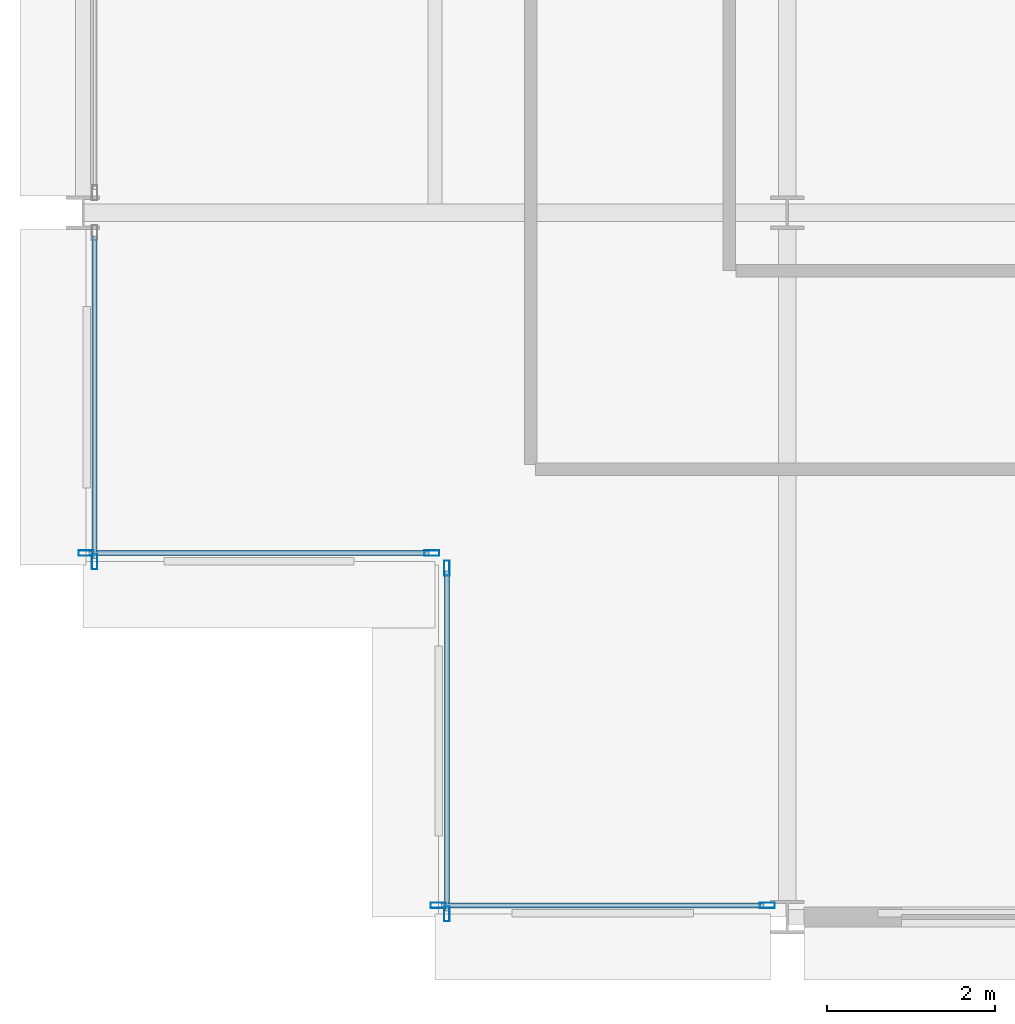
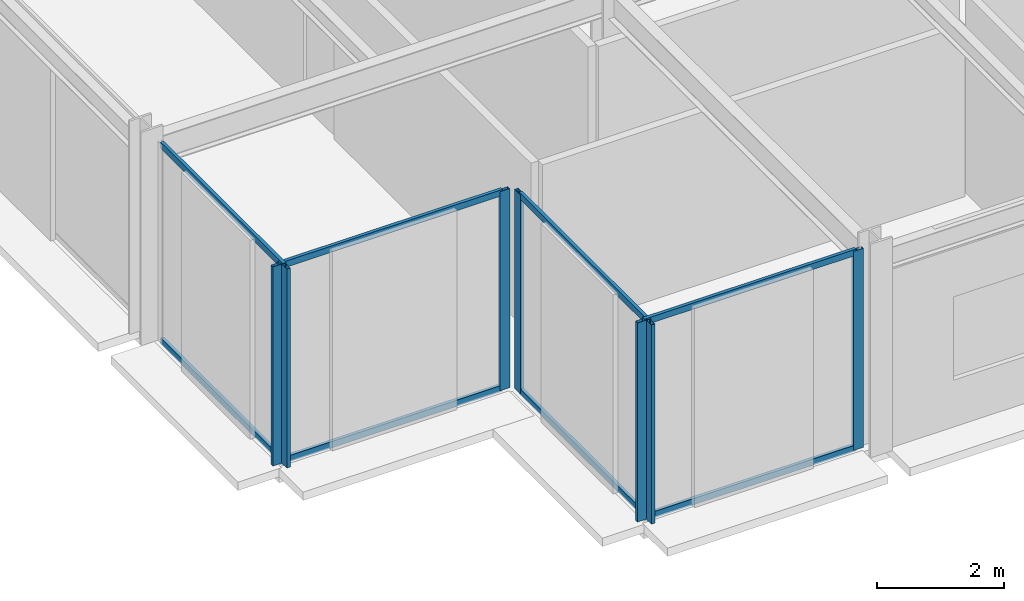
# One storey, part 2 of 30: 15 members, 4 elements without a shape of their own.
"""IFC4 building model written with IfcOpenShell, lengths in metres."""

import ifcopenshell
import ifcopenshell.guid

model = None  # the IFC model being written
_history = None  # IfcOwnerHistory: only IFC2X3 demands one
_inside = {}  # id of a spatial element -> (the spatial element, [elements in it])
_under = {}  # id of a project, library or spatial element -> (it, [spatial elements below it])
_declared = {}  # id of a project -> (the project, [libraries it declares])
_typed = {}  # id of a type object -> (the type object, [elements of that type])
_made_of = {}  # id of a material, layer set ... -> (it, [elements and type objects made of it])


def new_model(schema):
    """Start an empty IFC model of exactly this schema.

    Asked for "IFC4X3", IfcOpenShell would pick the latest addendum, in which some entities
    have other attributes; the version numbers below select the first issue.
    IFC2X3 requires an IfcOwnerHistory on every rooted entity: one is made here for all.
    """
    global model, _history
    if schema == "IFC4X3":
        model = ifcopenshell.file(schema_version=(4, 3, 0, 0))
    else:
        model = ifcopenshell.file(schema=schema)
    _inside.clear()
    _under.clear()
    _declared.clear()
    _typed.clear()
    _made_of.clear()
    _history = None
    if model.schema == "IFC2X3":
        org = make("IfcOrganization", Name="unknown")
        user = make(
            "IfcPersonAndOrganization",
            ThePerson=make("IfcPerson", FamilyName="unknown"),
            TheOrganization=org,
        )
        app = make(
            "IfcApplication",
            ApplicationDeveloper=org,
            Version="unknown",
            ApplicationFullName="unknown",
            ApplicationIdentifier="unknown",
        )
        _history = make(
            "IfcOwnerHistory",
            OwningUser=user,
            OwningApplication=app,
            ChangeAction="ADDED",
            CreationDate=0,
        )
    return model


def make(cls, **values):
    """One entity of the class cls with the attributes given. An attribute that is None is left unset."""
    return model.create_entity(
        cls, **{name: value for name, value in values.items() if value is not None}
    )


def rooted(cls, **values):
    """An entity with a GlobalId (a new one), such as an element, a storey or a relation."""
    return make(cls, GlobalId=ifcopenshell.guid.new(), OwnerHistory=_history, **values)


def si_unit(unit_type, name, prefix=None):
    """IfcSIUnit, for example si_unit("LENGTHUNIT", "METRE", prefix="MILLI")."""
    return make("IfcSIUnit", UnitType=unit_type, Prefix=prefix, Name=name)


def assignment(units):
    """IfcUnitAssignment: the units of a project."""
    return None if units is None else make("IfcUnitAssignment", Units=units)


def point(xyz):
    """IfcCartesianPoint."""
    return None if xyz is None else make("IfcCartesianPoint", Coordinates=xyz)


def direction(xyz):
    """IfcDirection."""
    return None if xyz is None else make("IfcDirection", DirectionRatios=xyz)


def frame(location, z_axis=None, x_axis=None):
    """IfcAxis2Placement3D, a coordinate frame: its origin and axes. An axis left out is left unset."""
    return make(
        "IfcAxis2Placement3D",
        Location=point(location),
        Axis=direction(z_axis),
        RefDirection=direction(x_axis),
    )


def frame_2d(location, x_axis=None):
    """IfcAxis2Placement2D, a coordinate frame in the plane: its origin and x axis."""
    return make(
        "IfcAxis2Placement2D", Location=point(location), RefDirection=direction(x_axis)
    )


def origin():
    """The frame at (0, 0, 0) with its axes left unset."""
    return frame((0.0, 0.0, 0.0))


def origin_2d():
    """The frame at (0, 0) in the plane with its x axis left unset."""
    return frame_2d((0.0, 0.0))


def place(relative_to, where):
    """IfcLocalPlacement: puts the frame where relative to a parent placement (None: the world)."""
    return make(
        "IfcLocalPlacement", PlacementRelTo=relative_to, RelativePlacement=where
    )


def context(
    kind, dimensions, precision=None, world=None, true_north=None, identifier=None
):
    """IfcGeometricRepresentationContext, for example the 3D "Model" context."""
    return make(
        "IfcGeometricRepresentationContext",
        ContextIdentifier=identifier,
        ContextType=kind,
        CoordinateSpaceDimension=dimensions,
        Precision=precision,
        WorldCoordinateSystem=world,
        TrueNorth=true_north,
    )


def subcontext(parent, identifier, kind, view, scale=None):
    """IfcGeometricRepresentationSubContext, for example "Body" below "Model"."""
    return make(
        "IfcGeometricRepresentationSubContext",
        ContextIdentifier=identifier,
        ContextType=kind,
        ParentContext=parent,
        TargetScale=scale,
        TargetView=view,
    )


def project(units=None, contexts=None):
    """IfcProject with its units and contexts."""
    return rooted(
        "IfcProject",
        Name="project",
        RepresentationContexts=contexts,
        UnitsInContext=assignment(units),
    )


def spatial(cls, under=None, at=None, **own):
    """A site, building, storey or space (cls), placed at a placement, below another one or the project."""
    s = rooted(cls, ObjectPlacement=at, **own)
    if under is not None:
        _under.setdefault(under.id(), (under, []))[1].append(s)
    return s


def profile(cls, at=None, kind="AREA", **sizes):
    """A parametric profile (cls). Its sizes go by their IFC names, for example OverallWidth=200.0."""
    return make(cls, ProfileType=kind, Position=at, **sizes)


def hollow_rectangle(**sizes):
    """IfcRectangleHollowProfileDef."""
    return profile("IfcRectangleHollowProfileDef", **sizes)


def extrude(swept, where, along, depth):
    """IfcExtrudedAreaSolid: the profile swept, set in the frame where, extruded along a direction by depth."""
    return make(
        "IfcExtrudedAreaSolid",
        SweptArea=swept,
        Position=where,
        ExtrudedDirection=direction(along),
        Depth=depth,
    )


def shape(context_of_items, identifier, shape_type, items):
    """IfcShapeRepresentation: the items that make up one representation, for example the "Body"."""
    return make(
        "IfcShapeRepresentation",
        ContextOfItems=context_of_items,
        RepresentationIdentifier=identifier,
        RepresentationType=shape_type,
        Items=items,
    )


def material(Name=None, Category=None):
    """IfcMaterial."""
    return make("IfcMaterial", Name=Name, Category=Category)


def layer(
    of_material, thickness, ventilated=None, Name=None, Category=None, Priority=None
):
    """IfcMaterialLayer: one layer of a wall or slab, of a material (None: an air gap)."""
    return make(
        "IfcMaterialLayer",
        Material=of_material,
        LayerThickness=thickness,
        IsVentilated=ventilated,
        Name=Name,
        Category=Category,
        Priority=Priority,
    )


def layer_set(layers, Name=None):
    """IfcMaterialLayerSet."""
    return make("IfcMaterialLayerSet", MaterialLayers=layers, LayerSetName=Name)


def material_profile(
    of_material, cross_section, Name=None, Category=None, Priority=None
):
    """IfcMaterialProfile: a cross section and its material."""
    return make(
        "IfcMaterialProfile",
        Name=Name,
        Material=of_material,
        Profile=cross_section,
        Priority=Priority,
        Category=Category,
    )


def profile_set(profiles, Name=None, composite=None):
    """IfcMaterialProfileSet."""
    return make(
        "IfcMaterialProfileSet",
        Name=Name,
        MaterialProfiles=profiles,
        CompositeProfile=composite,
    )


def made_of(thing, what):
    """Note that an element or type object is made of a material, layer set ...; save() writes the relation."""
    if what is not None:
        _made_of.setdefault(what.id(), (what, []))[1].append(thing)
    return thing


def type_object(cls, material=None, **own):
    """A type object (cls), such as IfcWallType, which elements share."""
    return made_of(rooted(cls, **own), material)


def element(
    cls,
    number,
    at=None,
    inside=None,
    cuts=None,
    type_object=None,
    material=None,
    context=None,
    identifier="Body",
    shape_type=None,
    held_by="IfcProductDefinitionShape",
    body=None,
    shapes=None,
    **own,
):
    """One element of the class cls, such as IfcWall. Its Tag is "e" and its number.

    at: its placement. inside: the storey or other place that contains it. cuts: it is an
    opening in that element (IfcRelVoidsElement). A single representation is given by context,
    identifier, shape_type and body (its items); several are given by shapes. held_by: the class
    of the entity that holds the representations. save() writes the other relations.
    """
    e = rooted(cls, Tag="e%d" % number, ObjectPlacement=at, **own)
    if body is not None:
        shapes = [shape(context, identifier, shape_type, body)]
    if shapes is not None:
        e.Representation = make(held_by, Representations=shapes)
    if inside is not None:
        _inside.setdefault(inside.id(), (inside, []))[1].append(e)
    if cuts is not None:
        rooted(
            "IfcRelVoidsElement", RelatingBuildingElement=cuts, RelatedOpeningElement=e
        )
    if type_object is not None:
        _typed.setdefault(type_object.id(), (type_object, []))[1].append(e)
    return made_of(e, material)


def aggregate(whole, parts):
    """IfcRelAggregates: a whole, such as a stair, and the parts it consists of."""
    return rooted("IfcRelAggregates", RelatingObject=whole, RelatedObjects=parts)


def save(model, path):
    """Write the relations noted so far, then the file.

    IfcRelAggregates (storeys below a building ...), IfcRelContainedInSpatialStructure (elements
    in a storey), IfcRelDefinesByType, IfcRelAssociatesMaterial and IfcRelDeclares: one each for
    every whole, place, type object, material and project.
    """
    for whole, parts in _under.values():
        aggregate(whole, parts)
    for where, things in _inside.values():
        rooted(
            "IfcRelContainedInSpatialStructure",
            RelatedElements=things,
            RelatingStructure=where,
        )
    for kind, things in _typed.values():
        rooted("IfcRelDefinesByType", RelatedObjects=things, RelatingType=kind)
    for what, things in _made_of.values():
        rooted("IfcRelAssociatesMaterial", RelatedObjects=things, RelatingMaterial=what)
    for by, libraries in _declared.values():
        rooted("IfcRelDeclares", RelatingContext=by, RelatedDefinitions=libraries)
    model.write(path)


model = new_model("IFC4")

# Units and contexts
model_context = context("Model", 3, precision=1e-05, world=origin(), true_north=direction((0.0, 1.0)))
body_context = subcontext(model_context, "Body", "Model", "MODEL_VIEW")
ifc_project = project(units=[si_unit("LENGTHUNIT", "METRE"), si_unit("AREAUNIT", "SQUARE_METRE"), si_unit("VOLUMEUNIT", "CUBIC_METRE"), si_unit("PLANEANGLEUNIT", "RADIAN"), si_unit("MASSUNIT", "GRAM", prefix="KILO")], contexts=[model_context])

# Site, building, storey
site_placement = place(None, origin())
site = spatial("IfcSite", under=ifc_project, at=site_placement, CompositionType="ELEMENT")
building_placement = place(site_placement, origin())
building = spatial("IfcBuilding", under=site, at=building_placement, Name="Nerrivon Quay Data Exchange", CompositionType="ELEMENT")
storey_placement = place(building_placement, frame((0.0, 0.0, 117.199951171875)))
storey = spatial("IfcBuildingStorey", under=building, at=storey_placement, Name="L27", CompositionType="ELEMENT", Elevation=117.199951171875)

# Curtain wall, members
ifc_material = material(Name="Anodised aluminium 6063-T6", Category="aluminium")
ifc_layer = layer(ifc_material, 0.2099609375)
ifc_layer_set = layer_set([ifc_layer], Name="Anodised aluminium 6063-T6")
curtain_wall_type = type_object("IfcCurtainWallType", Name="CW-SYS-02", PredefinedType="NOTDEFINED", material=ifc_layer_set)
curtain_wall_1_placement = place(storey_placement, origin())
curtain_wall_1 = element("IfcCurtainWall", 1, at=curtain_wall_1_placement, inside=storey, type_object=curtain_wall_type, Name="L27 Unitised Curtain Wall 8", PredefinedType="NOTDEFINED")
ifc_material_profile_1 = material_profile(ifc_material, hollow_rectangle(XDim=0.06494140625, YDim=0.179931640625, WallThickness=0.00341796875, at=origin_2d()), Name="ALU-MULL-180x65")
ifc_profile_set_1 = profile_set([ifc_material_profile_1], Name="Anodised aluminium 6063-T6")
member_type_1 = type_object("IfcMemberType", Name="CWM-180x65", PredefinedType="MULLION", material=ifc_profile_set_1)
member_1_placement = place(storey_placement, frame((8.16259765625, 0.139892578125, 0.0), z_axis=(0.0, 0.0, 1.0), x_axis=(0.0, -1.0, 0.0)))
member_1 = element("IfcMember", 2, at=member_1_placement, type_object=member_type_1, Name="CW02 mullion 1", PredefinedType="MULLION", context=body_context, shape_type="SweptSolid", body=[
    extrude(hollow_rectangle(XDim=0.06494140625, YDim=0.179931640625, WallThickness=0.00341796875, at=origin_2d()), origin(), (0.0, 0.0, 1.0), 3.824951171875),
])
member_2_placement = place(storey_placement, frame((4.237548828125, 0.139892578125, 0.0), z_axis=(0.0, 0.0, 1.0), x_axis=(0.0, -1.0, 0.0)))
member_2 = element("IfcMember", 3, at=member_2_placement, type_object=member_type_1, Name="CW02 mullion 2", PredefinedType="MULLION", context=body_context, shape_type="SweptSolid", body=[
    extrude(hollow_rectangle(XDim=0.06494140625, YDim=0.179931640625, WallThickness=0.00341796875, at=origin_2d()), origin(), (0.0, 0.0, 1.0), 3.824951171875),
])

curtain_wall_2_placement = place(storey_placement, origin())
curtain_wall_2 = element("IfcCurtainWall", 4, at=curtain_wall_2_placement, inside=storey, type_object=curtain_wall_type, Name="L27 Unitised Curtain Wall 9", PredefinedType="NOTDEFINED")
member_3_placement = place(storey_placement, frame((4.340087890625, 0.03759765625, 0.0), z_axis=(0.0, 0.0, 1.0), x_axis=(-1.0, 0.0, 0.0)))
member_3 = element("IfcMember", 5, at=member_3_placement, type_object=member_type_1, Name="CW02 mullion 1", PredefinedType="MULLION", context=body_context, shape_type="SweptSolid", body=[
    extrude(hollow_rectangle(XDim=0.06494140625, YDim=0.179931640625, WallThickness=0.00341796875, at=origin_2d()), origin(), (0.0, 0.0, 1.0), 3.824951171875),
])
member_4_placement = place(storey_placement, frame((4.340087890625, 4.16259765625, 0.0), z_axis=(0.0, 0.0, 1.0), x_axis=(-1.0, 0.0, 0.0)))
member_4 = element("IfcMember", 6, at=member_4_placement, type_object=member_type_1, Name="CW02 mullion 2", PredefinedType="MULLION", context=body_context, shape_type="SweptSolid", body=[
    extrude(hollow_rectangle(XDim=0.06494140625, YDim=0.179931640625, WallThickness=0.00341796875, at=origin_2d()), origin(), (0.0, 0.0, 1.0), 3.824951171875),
])

curtain_wall_3_placement = place(storey_placement, origin())
curtain_wall_3 = element("IfcCurtainWall", 7, at=curtain_wall_3_placement, inside=storey, type_object=curtain_wall_type, Name="L27 Unitised Curtain Wall 10", PredefinedType="NOTDEFINED")
member_5_placement = place(storey_placement, frame((4.16259765625, 4.340087890625, 0.0), z_axis=(0.0, 0.0, 1.0), x_axis=(0.0, -1.0, 0.0)))
member_5 = element("IfcMember", 8, at=member_5_placement, type_object=member_type_1, Name="CW02 mullion 1", PredefinedType="MULLION", context=body_context, shape_type="SweptSolid", body=[
    extrude(hollow_rectangle(XDim=0.06494140625, YDim=0.179931640625, WallThickness=0.00341796875, at=origin_2d()), origin(), (0.0, 0.0, 1.0), 3.824951171875),
])
member_6_placement = place(storey_placement, frame((0.03759765625, 4.340087890625, 0.0), z_axis=(0.0, 0.0, 1.0), x_axis=(0.0, -1.0, 0.0)))
member_6 = element("IfcMember", 9, at=member_6_placement, type_object=member_type_1, Name="CW02 mullion 2", PredefinedType="MULLION", context=body_context, shape_type="SweptSolid", body=[
    extrude(hollow_rectangle(XDim=0.06494140625, YDim=0.179931640625, WallThickness=0.00341796875, at=origin_2d()), origin(), (0.0, 0.0, 1.0), 3.824951171875),
])

# Curtain wall, member
curtain_wall_4_placement = place(storey_placement, origin())
curtain_wall_4 = element("IfcCurtainWall", 10, at=curtain_wall_4_placement, inside=storey, type_object=curtain_wall_type, Name="L27 Unitised Curtain Wall 11", PredefinedType="NOTDEFINED")
member_7_placement = place(storey_placement, frame((0.139892578125, 4.237548828125, 0.0), z_axis=(0.0, 0.0, 1.0), x_axis=(-1.0, 0.0, 0.0)))
member_7 = element("IfcMember", 11, at=member_7_placement, type_object=member_type_1, Name="CW02 mullion 1", PredefinedType="MULLION", context=body_context, shape_type="SweptSolid", body=[
    extrude(hollow_rectangle(XDim=0.06494140625, YDim=0.179931640625, WallThickness=0.00341796875, at=origin_2d()), origin(), (0.0, 0.0, 1.0), 3.824951171875),
])

# Member
ifc_material_profile_2 = material_profile(ifc_material, hollow_rectangle(XDim=0.06005859375, YDim=0.1201171875, WallThickness=0.003173828125, at=origin_2d()), Name="ALU-TRAN-120x60")
ifc_profile_set_2 = profile_set([ifc_material_profile_2], Name="Anodised aluminium 6063-T6")
member_type_2 = type_object("IfcMemberType", Name="CWT-120x60", PredefinedType="USERDEFINED", material=ifc_profile_set_2)
member_8_placement = place(storey_placement, frame((8.125, 0.139892578125, 0.032470703125), z_axis=(-1.0, 0.0, 0.0), x_axis=(0.0, -1.0, 0.0)))
member_8 = element("IfcMember", 12, at=member_8_placement, type_object=member_type_2, Name="CW02 transom 1.1", ObjectType="TRANSOM", PredefinedType="USERDEFINED", context=body_context, shape_type="SweptSolid", body=[
    extrude(hollow_rectangle(XDim=0.06005859375, YDim=0.1201171875, WallThickness=0.003173828125, at=origin_2d()), origin(), (0.0, 0.0, 1.0), 3.85009765625),
])

member_9_placement = place(storey_placement, frame((8.125, 0.139892578125, 3.79248046875), z_axis=(-1.0, 0.0, 0.0), x_axis=(0.0, -1.0, 0.0)))
member_9 = element("IfcMember", 13, at=member_9_placement, type_object=member_type_2, Name="CW02 transom 1.2", ObjectType="TRANSOM", PredefinedType="USERDEFINED", context=body_context, shape_type="SweptSolid", body=[
    extrude(hollow_rectangle(XDim=0.06005859375, YDim=0.1201171875, WallThickness=0.003173828125, at=origin_2d()), origin(), (0.0, 0.0, 1.0), 3.85009765625),
])

aggregate(curtain_wall_1, [member_1, member_2, member_8, member_9])

member_10_placement = place(storey_placement, frame((4.340087890625, 0.074951171875, 0.032470703125), z_axis=(0.0, 1.0, 0.0), x_axis=(-1.0, 0.0, 0.0)))
member_10 = element("IfcMember", 14, at=member_10_placement, type_object=member_type_2, Name="CW02 transom 1.1", ObjectType="TRANSOM", PredefinedType="USERDEFINED", context=body_context, shape_type="SweptSolid", body=[
    extrude(hollow_rectangle(XDim=0.06005859375, YDim=0.1201171875, WallThickness=0.003173828125, at=origin_2d()), origin(), (0.0, 0.0, 1.0), 4.050048828125),
])

member_11_placement = place(storey_placement, frame((4.340087890625, 0.074951171875, 3.79248046875), z_axis=(0.0, 1.0, 0.0), x_axis=(-1.0, 0.0, 0.0)))
member_11 = element("IfcMember", 15, at=member_11_placement, type_object=member_type_2, Name="CW02 transom 1.2", ObjectType="TRANSOM", PredefinedType="USERDEFINED", context=body_context, shape_type="SweptSolid", body=[
    extrude(hollow_rectangle(XDim=0.06005859375, YDim=0.1201171875, WallThickness=0.003173828125, at=origin_2d()), origin(), (0.0, 0.0, 1.0), 4.050048828125),
])

aggregate(curtain_wall_2, [member_3, member_4, member_10, member_11])

member_12_placement = place(storey_placement, frame((4.125, 4.340087890625, 0.032470703125), z_axis=(-1.0, 0.0, 0.0), x_axis=(0.0, -1.0, 0.0)))
member_12 = element("IfcMember", 16, at=member_12_placement, type_object=member_type_2, Name="CW02 transom 1.1", ObjectType="TRANSOM", PredefinedType="USERDEFINED", context=body_context, shape_type="SweptSolid", body=[
    extrude(hollow_rectangle(XDim=0.06005859375, YDim=0.1201171875, WallThickness=0.003173828125, at=origin_2d()), origin(), (0.0, 0.0, 1.0), 4.050048828125),
])

member_13_placement = place(storey_placement, frame((4.125, 4.340087890625, 3.79248046875), z_axis=(-1.0, 0.0, 0.0), x_axis=(0.0, -1.0, 0.0)))
member_13 = element("IfcMember", 17, at=member_13_placement, type_object=member_type_2, Name="CW02 transom 1.2", ObjectType="TRANSOM", PredefinedType="USERDEFINED", context=body_context, shape_type="SweptSolid", body=[
    extrude(hollow_rectangle(XDim=0.06005859375, YDim=0.1201171875, WallThickness=0.003173828125, at=origin_2d()), origin(), (0.0, 0.0, 1.0), 4.050048828125),
])

aggregate(curtain_wall_3, [member_5, member_6, member_12, member_13])

member_14_placement = place(storey_placement, frame((0.139892578125, 4.27490234375, 0.032470703125), z_axis=(0.0, 1.0, 0.0), x_axis=(-1.0, 0.0, 0.0)))
member_14 = element("IfcMember", 18, at=member_14_placement, type_object=member_type_2, Name="CW02 transom 1.1", ObjectType="TRANSOM", PredefinedType="USERDEFINED", context=body_context, shape_type="SweptSolid", body=[
    extrude(hollow_rectangle(XDim=0.06005859375, YDim=0.1201171875, WallThickness=0.003173828125, at=origin_2d()), origin(), (0.0, 0.0, 1.0), 3.85009765625),
])

member_15_placement = place(storey_placement, frame((0.139892578125, 4.27490234375, 3.79248046875), z_axis=(0.0, 1.0, 0.0), x_axis=(-1.0, 0.0, 0.0)))
member_15 = element("IfcMember", 19, at=member_15_placement, type_object=member_type_2, Name="CW02 transom 1.2", ObjectType="TRANSOM", PredefinedType="USERDEFINED", context=body_context, shape_type="SweptSolid", body=[
    extrude(hollow_rectangle(XDim=0.06005859375, YDim=0.1201171875, WallThickness=0.003173828125, at=origin_2d()), origin(), (0.0, 0.0, 1.0), 3.85009765625),
])

aggregate(curtain_wall_4, [member_7, member_14, member_15])

save(model, "model.ifc")
